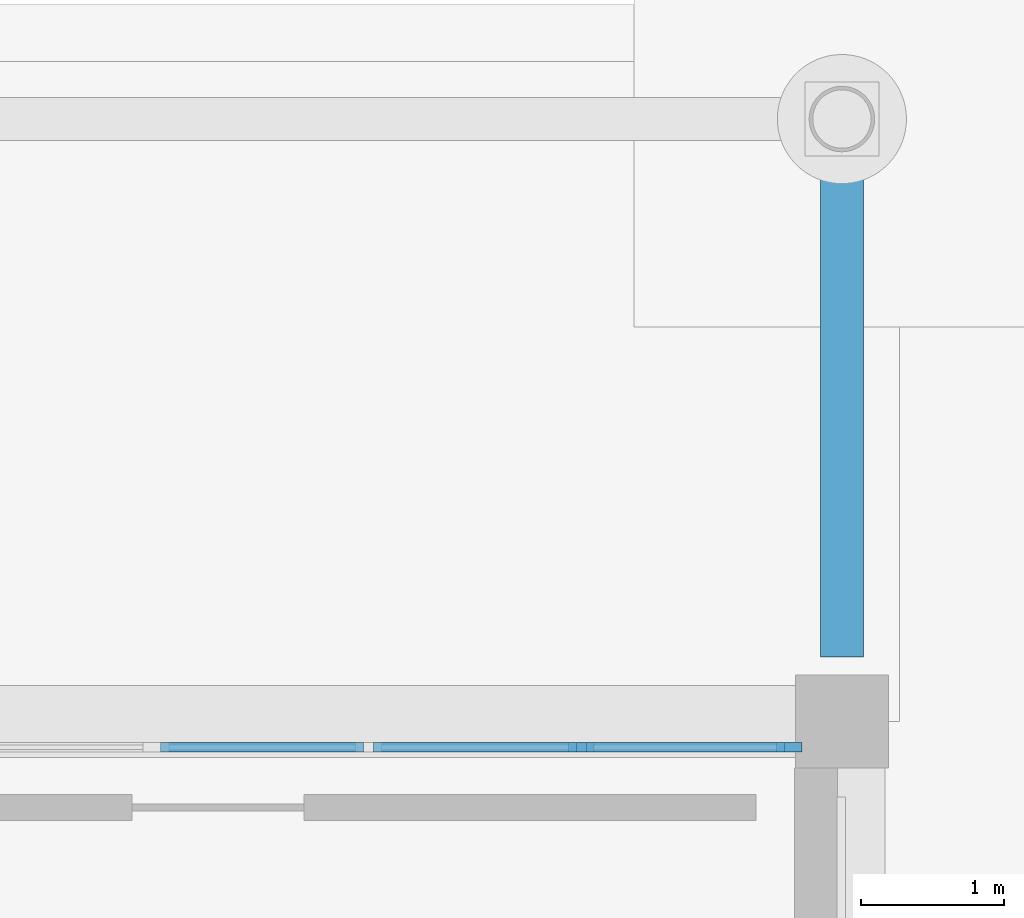
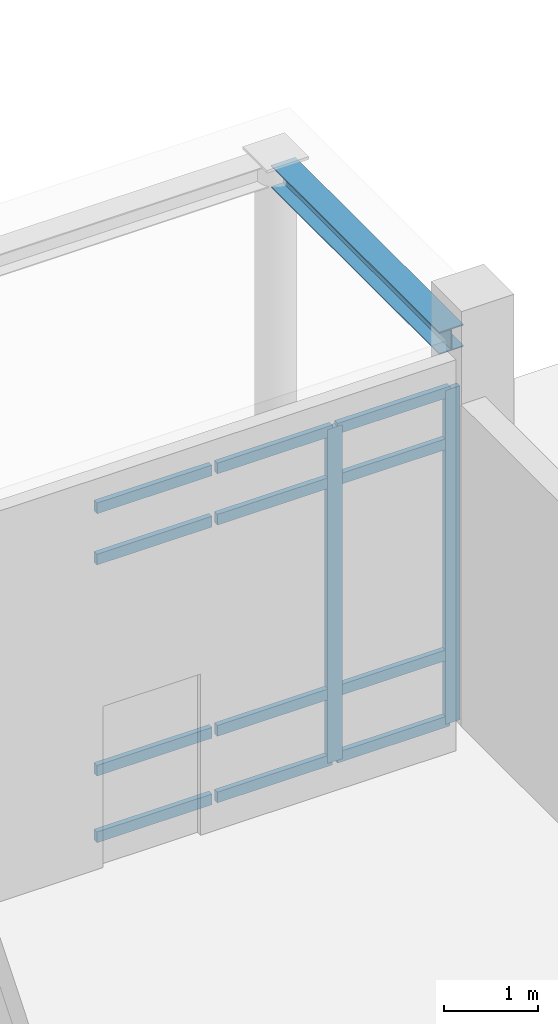
# One storey, part 34 of 79: 14 members, 1 beam, 1 element without a shape of its own.
"""IFC4 building model written with IfcOpenShell, lengths in metres."""

from ifc_helpers import new_model, si_unit, direction, frame, origin, origin_2d, place, context, subcontext, project, spatial, rectangle, i_section, extrude, material, layer, layer_set, material_profile, profile_set, type_object, element, aggregate, save


model = new_model("IFC4")

# Units and contexts
model_context = context("Model", 3, precision=1e-05, world=origin(), true_north=direction((0.0, 1.0)))
body_context = subcontext(model_context, "Body", "Model", "MODEL_VIEW")
ifc_project = project(units=[si_unit("LENGTHUNIT", "METRE"), si_unit("AREAUNIT", "SQUARE_METRE"), si_unit("VOLUMEUNIT", "CUBIC_METRE"), si_unit("PLANEANGLEUNIT", "RADIAN"), si_unit("MASSUNIT", "GRAM", prefix="KILO")], contexts=[model_context])

# Site, building, storey
site_placement = place(None, origin())
site = spatial("IfcSite", under=ifc_project, at=site_placement, CompositionType="ELEMENT")
building_placement = place(site_placement, origin())
building = spatial("IfcBuilding", under=site, at=building_placement, Name="Kelarvand Opera House", CompositionType="ELEMENT")
storey_placement = place(building_placement, origin())
storey = spatial("IfcBuildingStorey", under=building, at=storey_placement, Name="L00", CompositionType="ELEMENT", Elevation=0.0)

# Curtain wall, members
ifc_material_1 = material(Name="Thermally broken aluminium and low-E glazing", Category="aluminium")
ifc_layer = layer(ifc_material_1, 0.179931640625, Name="Thermally broken aluminium and low-E glazing", Category="aluminium")
ifc_layer_set = layer_set([ifc_layer], Name="Thermally broken aluminium and low-E glazing")
curtain_wall_type = type_object("IfcCurtainWallType", Name="Unitised Low-E Curtain Wall 5930x4350 Mod 1450 CWF-39", PredefinedType="USERDEFINED", material=ifc_layer_set)
curtain_wall_placement = place(storey_placement, origin())
curtain_wall = element("IfcCurtainWall", 1, at=curtain_wall_placement, inside=storey, type_object=curtain_wall_type, Name="V5 L00 Curtain Wall CWF-39 (169)", ObjectType="UNITISED CURTAIN WALL", PredefinedType="USERDEFINED")
ifc_material_2 = material(Name="Thermally broken anodised aluminium", Category="aluminium")
ifc_material_profile_1 = material_profile(ifc_material_2, rectangle(XDim=0.06494140625, YDim=0.179931640625, at=origin_2d()), Name="ALU MULLION 65x180", Category="aluminium")
ifc_profile_set_1 = profile_set([ifc_material_profile_1], Name="Thermally broken anodised aluminium")
member_type_1 = type_object("IfcMemberType", Name="Curtain Wall Mullion 65x180 Aluminium", PredefinedType="MULLION", material=ifc_profile_set_1)
member_1_placement = place(storey_placement, frame((133.382568359375, 124.820068359375, 0.0), z_axis=(0.0, 0.0, 1.0), x_axis=(0.0, 1.0, 0.0)))
member_1 = element("IfcMember", 2, at=member_1_placement, type_object=member_type_1, Name="CWF-39 mullion 4", PredefinedType="MULLION", context=body_context, shape_type="SweptSolid", body=[
    extrude(rectangle(XDim=0.06494140625, YDim=0.179931640625, at=origin_2d()), origin(), (0.0, 0.0, 1.0), 4.35009765625),
])
member_2_placement = place(storey_placement, frame((134.83251953125, 124.820068359375, 0.0), z_axis=(0.0, 0.0, 1.0), x_axis=(0.0, 1.0, 0.0)))
member_2 = element("IfcMember", 3, at=member_2_placement, type_object=member_type_1, Name="CWF-39 mullion 5", PredefinedType="MULLION", context=body_context, shape_type="SweptSolid", body=[
    extrude(rectangle(XDim=0.06494140625, YDim=0.179931640625, at=origin_2d()), origin(), (0.0, 0.0, 1.0), 4.35009765625),
])
ifc_material_profile_2 = material_profile(ifc_material_2, rectangle(XDim=0.06494140625, YDim=0.139892578125, at=origin_2d()), Name="ALU TRANSOM 65x140", Category="aluminium")
ifc_profile_set_2 = profile_set([ifc_material_profile_2], Name="Thermally broken anodised aluminium")
member_type_2 = type_object("IfcMemberType", Name="Curtain Wall Transom 65x140 Aluminium", PredefinedType="USERDEFINED", material=ifc_profile_set_2)
member_3_placement = place(storey_placement, frame((130.449951171875, 124.820068359375, 0.032470703125), z_axis=(1.0, 0.0, 0.0), x_axis=(0.0, 1.0, 0.0)))
member_3 = element("IfcMember", 4, at=member_3_placement, type_object=member_type_2, Name="CWF-39 transom 2.1", ObjectType="TRANSOM", PredefinedType="USERDEFINED", context=body_context, shape_type="SweptSolid", body=[
    extrude(rectangle(XDim=0.06494140625, YDim=0.139892578125, at=origin_2d()), origin(), (0.0, 0.0, 1.0), 1.41748046875),
])
member_4_placement = place(storey_placement, frame((130.449951171875, 124.820068359375, 0.89990234375), z_axis=(1.0, 0.0, 0.0), x_axis=(0.0, 1.0, 0.0)))
member_4 = element("IfcMember", 5, at=member_4_placement, type_object=member_type_2, Name="CWF-39 transom 2.2", ObjectType="TRANSOM", PredefinedType="USERDEFINED", context=body_context, shape_type="SweptSolid", body=[
    extrude(rectangle(XDim=0.06494140625, YDim=0.139892578125, at=origin_2d()), origin(), (0.0, 0.0, 1.0), 1.41748046875),
])
member_5_placement = place(storey_placement, frame((130.449951171875, 124.820068359375, 3.64990234375), z_axis=(1.0, 0.0, 0.0), x_axis=(0.0, 1.0, 0.0)))
member_5 = element("IfcMember", 6, at=member_5_placement, type_object=member_type_2, Name="CWF-39 transom 2.3", ObjectType="TRANSOM", PredefinedType="USERDEFINED", context=body_context, shape_type="SweptSolid", body=[
    extrude(rectangle(XDim=0.06494140625, YDim=0.139892578125, at=origin_2d()), origin(), (0.0, 0.0, 1.0), 1.41748046875),
])
member_6_placement = place(storey_placement, frame((130.449951171875, 124.820068359375, 4.3173828125), z_axis=(1.0, 0.0, 0.0), x_axis=(0.0, 1.0, 0.0)))
member_6 = element("IfcMember", 7, at=member_6_placement, type_object=member_type_2, Name="CWF-39 transom 2.4", ObjectType="TRANSOM", PredefinedType="USERDEFINED", context=body_context, shape_type="SweptSolid", body=[
    extrude(rectangle(XDim=0.06494140625, YDim=0.139892578125, at=origin_2d()), origin(), (0.0, 0.0, 1.0), 1.41748046875),
])
member_7_placement = place(storey_placement, frame((131.9326171875, 124.820068359375, 0.032470703125), z_axis=(1.0, 0.0, 0.0), x_axis=(0.0, 1.0, 0.0)))
member_7 = element("IfcMember", 8, at=member_7_placement, type_object=member_type_2, Name="CWF-39 transom 3.1", ObjectType="TRANSOM", PredefinedType="USERDEFINED", context=body_context, shape_type="SweptSolid", body=[
    extrude(rectangle(XDim=0.06494140625, YDim=0.139892578125, at=origin_2d()), origin(), (0.0, 0.0, 1.0), 1.41748046875),
])
member_8_placement = place(storey_placement, frame((131.9326171875, 124.820068359375, 0.89990234375), z_axis=(1.0, 0.0, 0.0), x_axis=(0.0, 1.0, 0.0)))
member_8 = element("IfcMember", 9, at=member_8_placement, type_object=member_type_2, Name="CWF-39 transom 3.2", ObjectType="TRANSOM", PredefinedType="USERDEFINED", context=body_context, shape_type="SweptSolid", body=[
    extrude(rectangle(XDim=0.06494140625, YDim=0.139892578125, at=origin_2d()), origin(), (0.0, 0.0, 1.0), 1.41748046875),
])
member_9_placement = place(storey_placement, frame((131.9326171875, 124.820068359375, 3.64990234375), z_axis=(1.0, 0.0, 0.0), x_axis=(0.0, 1.0, 0.0)))
member_9 = element("IfcMember", 10, at=member_9_placement, type_object=member_type_2, Name="CWF-39 transom 3.3", ObjectType="TRANSOM", PredefinedType="USERDEFINED", context=body_context, shape_type="SweptSolid", body=[
    extrude(rectangle(XDim=0.06494140625, YDim=0.139892578125, at=origin_2d()), origin(), (0.0, 0.0, 1.0), 1.41748046875),
])
member_10_placement = place(storey_placement, frame((131.9326171875, 124.820068359375, 4.3173828125), z_axis=(1.0, 0.0, 0.0), x_axis=(0.0, 1.0, 0.0)))
member_10 = element("IfcMember", 11, at=member_10_placement, type_object=member_type_2, Name="CWF-39 transom 3.4", ObjectType="TRANSOM", PredefinedType="USERDEFINED", context=body_context, shape_type="SweptSolid", body=[
    extrude(rectangle(XDim=0.06494140625, YDim=0.139892578125, at=origin_2d()), origin(), (0.0, 0.0, 1.0), 1.41748046875),
])
member_11_placement = place(storey_placement, frame((133.4150390625, 124.820068359375, 0.032470703125), z_axis=(1.0, 0.0, 0.0), x_axis=(0.0, 1.0, 0.0)))
member_11 = element("IfcMember", 12, at=member_11_placement, type_object=member_type_2, Name="CWF-39 transom 4.1", ObjectType="TRANSOM", PredefinedType="USERDEFINED", context=body_context, shape_type="SweptSolid", body=[
    extrude(rectangle(XDim=0.06494140625, YDim=0.139892578125, at=origin_2d()), origin(), (0.0, 0.0, 1.0), 1.385009765625),
])
member_12_placement = place(storey_placement, frame((133.4150390625, 124.820068359375, 0.89990234375), z_axis=(1.0, 0.0, 0.0), x_axis=(0.0, 1.0, 0.0)))
member_12 = element("IfcMember", 13, at=member_12_placement, type_object=member_type_2, Name="CWF-39 transom 4.2", ObjectType="TRANSOM", PredefinedType="USERDEFINED", context=body_context, shape_type="SweptSolid", body=[
    extrude(rectangle(XDim=0.06494140625, YDim=0.139892578125, at=origin_2d()), origin(), (0.0, 0.0, 1.0), 1.385009765625),
])
member_13_placement = place(storey_placement, frame((133.4150390625, 124.820068359375, 3.64990234375), z_axis=(1.0, 0.0, 0.0), x_axis=(0.0, 1.0, 0.0)))
member_13 = element("IfcMember", 14, at=member_13_placement, type_object=member_type_2, Name="CWF-39 transom 4.3", ObjectType="TRANSOM", PredefinedType="USERDEFINED", context=body_context, shape_type="SweptSolid", body=[
    extrude(rectangle(XDim=0.06494140625, YDim=0.139892578125, at=origin_2d()), origin(), (0.0, 0.0, 1.0), 1.385009765625),
])
member_14_placement = place(storey_placement, frame((133.4150390625, 124.820068359375, 4.3173828125), z_axis=(1.0, 0.0, 0.0), x_axis=(0.0, 1.0, 0.0)))
member_14 = element("IfcMember", 15, at=member_14_placement, type_object=member_type_2, Name="CWF-39 transom 4.4", ObjectType="TRANSOM", PredefinedType="USERDEFINED", context=body_context, shape_type="SweptSolid", body=[
    extrude(rectangle(XDim=0.06494140625, YDim=0.139892578125, at=origin_2d()), origin(), (0.0, 0.0, 1.0), 1.385009765625),
])
aggregate(curtain_wall, [member_1, member_2, member_3, member_4, member_5, member_6, member_7, member_8, member_9, member_10, member_11, member_12, member_13, member_14])

# Beam
ifc_material_3 = material(Name="Steel S355", Category="steel")
ifc_material_profile_3 = material_profile(ifc_material_3, i_section(OverallWidth=0.300048828125, OverallDepth=0.2900390625, WebThickness=0.008544921875, FlangeThickness=0.013916015625, at=origin_2d()), Name="HEA 300", Category="steel")
ifc_profile_set_3 = profile_set([ifc_material_profile_3], Name="Steel S355")
beam_type = type_object("IfcBeamType", Name="Structural Beam HEA 300 BM-HEA300E", PredefinedType="BEAM", material=ifc_profile_set_3)
beam_placement = place(storey_placement, frame((135.199951171875, 125.449951171875, 4.455078125), z_axis=(0.0, 1.0, 0.0), x_axis=(-1.0, 0.0, 0.0)))
element("IfcBeam", 16, at=beam_placement, inside=storey, type_object=beam_type, Name="Park Entrance Canopy Beam 3", PredefinedType="BEAM", context=body_context, shape_type="SweptSolid", body=[
    extrude(i_section(OverallWidth=0.300048828125, OverallDepth=0.2900390625, WebThickness=0.008544921875, FlangeThickness=0.013916015625, at=origin_2d()), origin(), (0.0, 0.0, 1.0), 3.590087890625),
])

save(model, "model.ifc")
